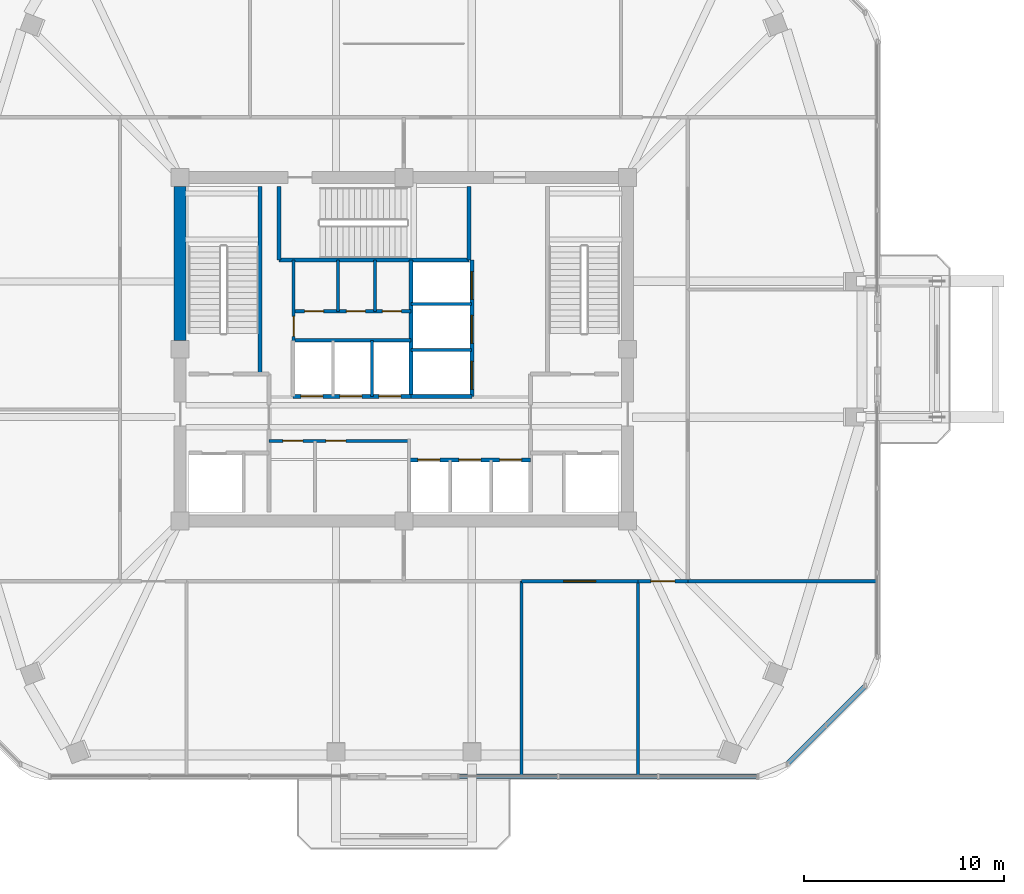
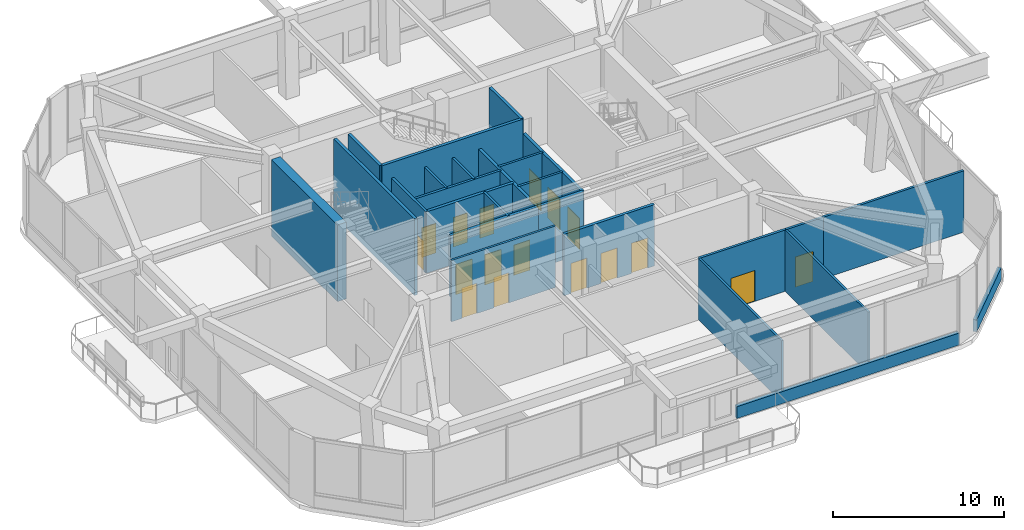
# One storey, part 9 of 14: 26 walls, 17 doors, 17 openings.
"""IFC4 building model written with IfcOpenShell, lengths in metres."""

import ifcopenshell
import ifcopenshell.guid

model = None  # the IFC model being written
_history = None  # IfcOwnerHistory: only IFC2X3 demands one
_inside = {}  # id of a spatial element -> (the spatial element, [elements in it])
_under = {}  # id of a project, library or spatial element -> (it, [spatial elements below it])
_declared = {}  # id of a project -> (the project, [libraries it declares])
_typed = {}  # id of a type object -> (the type object, [elements of that type])
_made_of = {}  # id of a material, layer set ... -> (it, [elements and type objects made of it])


def new_model(schema):
    """Start an empty IFC model of exactly this schema.

    Asked for "IFC4X3", IfcOpenShell would pick the latest addendum, in which some entities
    have other attributes; the version numbers below select the first issue.
    IFC2X3 requires an IfcOwnerHistory on every rooted entity: one is made here for all.
    """
    global model, _history
    if schema == "IFC4X3":
        model = ifcopenshell.file(schema_version=(4, 3, 0, 0))
    else:
        model = ifcopenshell.file(schema=schema)
    _inside.clear()
    _under.clear()
    _declared.clear()
    _typed.clear()
    _made_of.clear()
    _history = None
    if model.schema == "IFC2X3":
        org = make("IfcOrganization", Name="unknown")
        user = make(
            "IfcPersonAndOrganization",
            ThePerson=make("IfcPerson", FamilyName="unknown"),
            TheOrganization=org,
        )
        app = make(
            "IfcApplication",
            ApplicationDeveloper=org,
            Version="unknown",
            ApplicationFullName="unknown",
            ApplicationIdentifier="unknown",
        )
        _history = make(
            "IfcOwnerHistory",
            OwningUser=user,
            OwningApplication=app,
            ChangeAction="ADDED",
            CreationDate=0,
        )
    return model


def make(cls, **values):
    """One entity of the class cls with the attributes given. An attribute that is None is left unset."""
    return model.create_entity(
        cls, **{name: value for name, value in values.items() if value is not None}
    )


def rooted(cls, **values):
    """An entity with a GlobalId (a new one), such as an element, a storey or a relation."""
    return make(cls, GlobalId=ifcopenshell.guid.new(), OwnerHistory=_history, **values)


def si_unit(unit_type, name, prefix=None):
    """IfcSIUnit, for example si_unit("LENGTHUNIT", "METRE", prefix="MILLI")."""
    return make("IfcSIUnit", UnitType=unit_type, Prefix=prefix, Name=name)


def derived_unit(unit_type, elements):
    """IfcDerivedUnit: a product of units, each with its exponent."""
    return make(
        "IfcDerivedUnit",
        Elements=[
            make("IfcDerivedUnitElement", Unit=unit, Exponent=power)
            for unit, power in elements
        ],
        UnitType=unit_type,
    )


def assignment(units):
    """IfcUnitAssignment: the units of a project."""
    return None if units is None else make("IfcUnitAssignment", Units=units)


def point(xyz):
    """IfcCartesianPoint."""
    return None if xyz is None else make("IfcCartesianPoint", Coordinates=xyz)


def direction(xyz):
    """IfcDirection."""
    return None if xyz is None else make("IfcDirection", DirectionRatios=xyz)


def frame(location, z_axis=None, x_axis=None):
    """IfcAxis2Placement3D, a coordinate frame: its origin and axes. An axis left out is left unset."""
    return make(
        "IfcAxis2Placement3D",
        Location=point(location),
        Axis=direction(z_axis),
        RefDirection=direction(x_axis),
    )


def frame_2d(location, x_axis=None):
    """IfcAxis2Placement2D, a coordinate frame in the plane: its origin and x axis."""
    return make(
        "IfcAxis2Placement2D", Location=point(location), RefDirection=direction(x_axis)
    )


def origin():
    """The frame at (0, 0, 0) with its axes left unset."""
    return frame((0.0, 0.0, 0.0))


def place(relative_to, where):
    """IfcLocalPlacement: puts the frame where relative to a parent placement (None: the world)."""
    return make(
        "IfcLocalPlacement", PlacementRelTo=relative_to, RelativePlacement=where
    )


def context(
    kind, dimensions, precision=None, world=None, true_north=None, identifier=None
):
    """IfcGeometricRepresentationContext, for example the 3D "Model" context."""
    return make(
        "IfcGeometricRepresentationContext",
        ContextIdentifier=identifier,
        ContextType=kind,
        CoordinateSpaceDimension=dimensions,
        Precision=precision,
        WorldCoordinateSystem=world,
        TrueNorth=true_north,
    )


def subcontext(parent, identifier, kind, view, scale=None):
    """IfcGeometricRepresentationSubContext, for example "Body" below "Model"."""
    return make(
        "IfcGeometricRepresentationSubContext",
        ContextIdentifier=identifier,
        ContextType=kind,
        ParentContext=parent,
        TargetScale=scale,
        TargetView=view,
    )


def project(units=None, contexts=None):
    """IfcProject with its units and contexts."""
    return rooted(
        "IfcProject",
        Name="project",
        RepresentationContexts=contexts,
        UnitsInContext=assignment(units),
    )


def spatial(cls, under=None, at=None, **own):
    """A site, building, storey or space (cls), placed at a placement, below another one or the project."""
    s = rooted(cls, ObjectPlacement=at, **own)
    if under is not None:
        _under.setdefault(under.id(), (under, []))[1].append(s)
    return s


def profile(cls, at=None, kind="AREA", **sizes):
    """A parametric profile (cls). Its sizes go by their IFC names, for example OverallWidth=200.0."""
    return make(cls, ProfileType=kind, Position=at, **sizes)


def rectangle(**sizes):
    """IfcRectangleProfileDef."""
    return profile("IfcRectangleProfileDef", **sizes)


def extrude(swept, where, along, depth):
    """IfcExtrudedAreaSolid: the profile swept, set in the frame where, extruded along a direction by depth."""
    return make(
        "IfcExtrudedAreaSolid",
        SweptArea=swept,
        Position=where,
        ExtrudedDirection=direction(along),
        Depth=depth,
    )


def shape(context_of_items, identifier, shape_type, items):
    """IfcShapeRepresentation: the items that make up one representation, for example the "Body"."""
    return make(
        "IfcShapeRepresentation",
        ContextOfItems=context_of_items,
        RepresentationIdentifier=identifier,
        RepresentationType=shape_type,
        Items=items,
    )


def material(Name=None, Category=None):
    """IfcMaterial."""
    return make("IfcMaterial", Name=Name, Category=Category)


def layer(
    of_material, thickness, ventilated=None, Name=None, Category=None, Priority=None
):
    """IfcMaterialLayer: one layer of a wall or slab, of a material (None: an air gap)."""
    return make(
        "IfcMaterialLayer",
        Material=of_material,
        LayerThickness=thickness,
        IsVentilated=ventilated,
        Name=Name,
        Category=Category,
        Priority=Priority,
    )


def layer_set(layers, Name=None):
    """IfcMaterialLayerSet."""
    return make("IfcMaterialLayerSet", MaterialLayers=layers, LayerSetName=Name)


def made_of(thing, what):
    """Note that an element or type object is made of a material, layer set ...; save() writes the relation."""
    if what is not None:
        _made_of.setdefault(what.id(), (what, []))[1].append(thing)
    return thing


def type_object(cls, material=None, **own):
    """A type object (cls), such as IfcWallType, which elements share."""
    return made_of(rooted(cls, **own), material)


def element(
    cls,
    number,
    at=None,
    inside=None,
    cuts=None,
    type_object=None,
    material=None,
    context=None,
    identifier="Body",
    shape_type=None,
    held_by="IfcProductDefinitionShape",
    body=None,
    shapes=None,
    **own,
):
    """One element of the class cls, such as IfcWall. Its Tag is "e" and its number.

    at: its placement. inside: the storey or other place that contains it. cuts: it is an
    opening in that element (IfcRelVoidsElement). A single representation is given by context,
    identifier, shape_type and body (its items); several are given by shapes. held_by: the class
    of the entity that holds the representations. save() writes the other relations.
    """
    e = rooted(cls, Tag="e%d" % number, ObjectPlacement=at, **own)
    if body is not None:
        shapes = [shape(context, identifier, shape_type, body)]
    if shapes is not None:
        e.Representation = make(held_by, Representations=shapes)
    if inside is not None:
        _inside.setdefault(inside.id(), (inside, []))[1].append(e)
    if cuts is not None:
        rooted(
            "IfcRelVoidsElement", RelatingBuildingElement=cuts, RelatedOpeningElement=e
        )
    if type_object is not None:
        _typed.setdefault(type_object.id(), (type_object, []))[1].append(e)
    return made_of(e, material)


def fill(opening, filler):
    """IfcRelFillsElement: the door or window that sits in an opening."""
    return rooted(
        "IfcRelFillsElement",
        RelatingOpeningElement=opening,
        RelatedBuildingElement=filler,
    )


def aggregate(whole, parts):
    """IfcRelAggregates: a whole, such as a stair, and the parts it consists of."""
    return rooted("IfcRelAggregates", RelatingObject=whole, RelatedObjects=parts)


def save(model, path):
    """Write the relations noted so far, then the file.

    IfcRelAggregates (storeys below a building ...), IfcRelContainedInSpatialStructure (elements
    in a storey), IfcRelDefinesByType, IfcRelAssociatesMaterial and IfcRelDeclares: one each for
    every whole, place, type object, material and project.
    """
    for whole, parts in _under.values():
        aggregate(whole, parts)
    for where, things in _inside.values():
        rooted(
            "IfcRelContainedInSpatialStructure",
            RelatedElements=things,
            RelatingStructure=where,
        )
    for kind, things in _typed.values():
        rooted("IfcRelDefinesByType", RelatedObjects=things, RelatingType=kind)
    for what, things in _made_of.values():
        rooted("IfcRelAssociatesMaterial", RelatedObjects=things, RelatingMaterial=what)
    for by, libraries in _declared.values():
        rooted("IfcRelDeclares", RelatingContext=by, RelatedDefinitions=libraries)
    model.write(path)


model = new_model("IFC4")

# Units and contexts
model_context = context("Model", 3, precision=1e-05, world=origin(), true_north=direction((0.0, 1.0)))
body_context = subcontext(model_context, "Body", "Model", "MODEL_VIEW")
ifc_project = project(units=[si_unit("LENGTHUNIT", "METRE"), si_unit("AREAUNIT", "SQUARE_METRE"), si_unit("VOLUMEUNIT", "CUBIC_METRE"), si_unit("PLANEANGLEUNIT", "RADIAN"), si_unit("MASSUNIT", "GRAM", prefix="KILO"), derived_unit("THERMALTRANSMITTANCEUNIT", [(si_unit("POWERUNIT", "WATT"), 1), (si_unit("LENGTHUNIT", "METRE"), -2), (si_unit("THERMODYNAMICTEMPERATUREUNIT", "KELVIN"), -1)])], contexts=[model_context])

# Site, building, storey
site_placement = place(None, origin())
site = spatial("IfcSite", under=ifc_project, at=site_placement, CompositionType="ELEMENT")
building_placement = place(site_placement, origin())
building = spatial("IfcBuilding", under=site, at=building_placement, Name="Koralith Skygarden Medical Center", CompositionType="ELEMENT")
storey_placement = place(building_placement, frame((0.0, 0.0, 182.699951171875)))
storey = spatial("IfcBuildingStorey", under=building, at=storey_placement, Name="L47", CompositionType="ELEMENT", Elevation=182.699951171875)

# Wall, openings, doors
ifc_material_1 = material(Name="Gypsum Board Partition")
ifc_layer_1 = layer(ifc_material_1, 0.14990234375)
ifc_layer_set_1 = layer_set([ifc_layer_1], Name="Gypsum Board Partition")
wall_type_1 = type_object("IfcWallType", Name="Clinical Acoustic Partition 150", PredefinedType="PARTITIONING", material=ifc_layer_set_1)
wall_1_placement = place(storey_placement, frame((30.25, 21.320068359375, 0.0), z_axis=(0.0, 0.0, 1.0), x_axis=(1.0, 0.0, 0.0)))
wall_1 = element("IfcWall", 1, at=wall_1_placement, inside=storey, type_object=wall_type_1, Name="L47 Clinical Acoustic Partition 150 W-CORE-L47-FREED-LR-N", PredefinedType="PARTITIONING", context=body_context, shape_type="SweptSolid", body=[
    extrude(rectangle(XDim=7.0, YDim=0.14990234375, at=frame_2d((3.5, 0.0))), origin(), (0.0, 0.0, 1.0), 4.3701171875),
])
opening_1_placement = place(wall_1_placement, frame((0.699951171875, 0.0, 0.0)))
opening_1 = element("IfcOpeningElement", 2, at=opening_1_placement, cuts=wall_1, Name="Opening D-SUP", PredefinedType="OPENING", context=body_context, shape_type="SweptSolid", body=[
    extrude(rectangle(XDim=1.0, YDim=2.14990234375, at=frame_2d((0.5, 1.074951171875))), frame((0.0, 0.0849609375, 0.0), z_axis=(0.0, -1.0, 0.0), x_axis=(1.0, 0.0, 0.0)), (0.0, 0.0, 1.0), 0.169921875),
])
opening_2_placement = place(wall_1_placement, frame((2.85009765625, 0.0, 0.0)))
opening_2 = element("IfcOpeningElement", 3, at=opening_2_placement, cuts=wall_1, Name="Opening D-SUP", PredefinedType="OPENING", context=body_context, shape_type="SweptSolid", body=[
    extrude(rectangle(XDim=1.0, YDim=2.14990234375, at=frame_2d((0.5, 1.074951171875))), frame((0.0, 0.0849609375, 0.0), z_axis=(0.0, -1.0, 0.0), x_axis=(1.0, 0.0, 0.0)), (0.0, 0.0, 1.0), 0.169921875),
])
ifc_material_2 = material(Name="Aluminium 6063-T6", Category="aluminium")
door_type_1 = type_object("IfcDoorType", Name="Clinical Support Door D-SUP 1000", OperationType="NOTDEFINED", PredefinedType="DOOR", material=ifc_material_2)
door_1_placement = place(opening_1_placement, frame((1.0, 0.0, 0.0), z_axis=(0.0, 0.0, 1.0), x_axis=(-1.0, 0.0, 0.0)))
door_1 = element("IfcDoor", 4, at=door_1_placement, inside=storey, type_object=door_type_1, Name="L47 Medication Preparation Door", OperationType="SINGLE_SWING_LEFT", OverallHeight=2.14990234375, OverallWidth=1.0, PredefinedType="DOOR", context=body_context, shape_type="SweptSolid", body=[
    extrude(rectangle(XDim=1.0, YDim=2.14990234375, at=frame_2d((0.5, 1.074951171875))), frame((0.0, 0.02490234375, 0.0), z_axis=(0.0, -1.0, 0.0), x_axis=(1.0, 0.0, 0.0)), (0.0, 0.0, 1.0), 0.050048828125),
])
fill(opening_1, door_1)
door_2_placement = place(opening_2_placement, frame((1.0, 0.0, 0.0), z_axis=(0.0, 0.0, 1.0), x_axis=(-1.0, 0.0, 0.0)))
door_2 = element("IfcDoor", 5, at=door_2_placement, inside=storey, type_object=door_type_1, Name="L47 Telemetry Room Door", OperationType="SINGLE_SWING_RIGHT", OverallHeight=2.14990234375, OverallWidth=1.0, PredefinedType="DOOR", context=body_context, shape_type="SweptSolid", body=[
    extrude(rectangle(XDim=1.0, YDim=2.14990234375, at=frame_2d((0.5, 1.074951171875))), frame((0.0, 0.02490234375, 0.0), z_axis=(0.0, -1.0, 0.0), x_axis=(1.0, 0.0, 0.0)), (0.0, 0.0, 1.0), 0.050048828125),
])
fill(opening_2, door_2)

# Walls
for number, where, z_axis, x_axis, name in (
    (6, (33.699951171875, 27.800048828125, 0.0), (0.0, 0.0, 1.0), (0.0, 1.0, 0.0), "L47 Clinical Acoustic Partition 150 W-CORE-L47-FLEX-V2A"),
    (7, (35.56005859375, 27.800048828125, 0.0), (0.0, 0.0, 1.0), (0.0, 1.0, 0.0), "L47 Clinical Acoustic Partition 150 W-CORE-L47-FLEX-V2B"),
):
    element("IfcWall", number, at=place(storey_placement, frame(where, z_axis=z_axis, x_axis=x_axis)), inside=storey, type_object=wall_type_1, Name=name, PredefinedType="PARTITIONING", context=body_context, shape_type="SweptSolid", body=[
        extrude(rectangle(XDim=2.56005859375, YDim=0.14990234375, at=frame_2d((1.280029296875, 0.0))), origin(), (0.0, 0.0, 1.0), 4.3701171875),
    ])
for number, where, z_axis, x_axis, name in (
    (8, (42.89111328125, 14.2900390625, 0.0), (0.0, 0.0, 1.0), (0.0, -1.0, 0.0), "L47 Clinical Acoustic Partition 150 W-AMPART-L47-S-2"),
    (9, (48.7099609375, 14.2900390625, 0.0), (0.0, 0.0, 1.0), (0.0, -1.0, 0.0), "L47 Clinical Acoustic Partition 150 W-AMPART-L47-S-3"),
):
    element("IfcWall", number, at=place(storey_placement, frame(where, z_axis=z_axis, x_axis=x_axis)), inside=storey, type_object=wall_type_1, Name=name, PredefinedType="PARTITIONING", context=body_context, shape_type="SweptSolid", body=[
        extrude(rectangle(XDim=9.740966796875, YDim=0.14990234375, at=frame_2d((4.87060546875, 0.0))), origin(), (0.0, 0.0, 1.0), 4.3701171875),
    ])
ifc_layer_2 = layer(ifc_material_1, 0.1650390625)
ifc_layer_set_2 = layer_set([ifc_layer_2], Name="Gypsum Board Partition")
wall_type_2 = type_object("IfcWallType", Name="Clinical Corridor Partition 165", PredefinedType="PARTITIONING", material=ifc_layer_set_2)
wall_2_placement = place(storey_placement, frame((51.2099609375, 14.2900390625, 0.0), z_axis=(0.0, 0.0, 1.0), x_axis=(1.0, 0.0, 0.0)))
element("IfcWall", 10, at=wall_2_placement, inside=storey, type_object=wall_type_2, Name="L47 Clinical Corridor Partition 165 W-WB-L47-SE", PredefinedType="PARTITIONING", context=body_context, shape_type="SweptSolid", body=[
    extrude(rectangle(XDim=9.467041015625, YDim=0.1650390625, at=frame_2d((4.7333984375, 0.0))), origin(), (0.0, 0.0, 1.0), 4.3701171875),
])

# Wall, opening, door
wall_3_placement = place(storey_placement, frame((42.89111328125, 14.2900390625, 0.0), z_axis=(0.0, 0.0, 1.0), x_axis=(1.0, 0.0, 0.0)))
wall_3 = element("IfcWall", 11, at=wall_3_placement, inside=storey, type_object=wall_type_2, Name="L47 Clinical Corridor Partition 165 W-AMCOR-L47-S-3", PredefinedType="PARTITIONING", context=body_context, shape_type="SweptSolid", body=[
    extrude(rectangle(XDim=5.81884765625, YDim=0.1650390625, at=frame_2d((2.909423828125, 0.0))), origin(), (0.0, 0.0, 1.0), 4.3701171875),
])
opening_3_placement = place(wall_3_placement, frame((2.110107421875, 0.0, 0.0)))
opening_3 = element("IfcOpeningElement", 12, at=opening_3_placement, cuts=wall_3, Name="Opening D-DBL", PredefinedType="OPENING", context=body_context, shape_type="SweptSolid", body=[
    extrude(rectangle(XDim=1.60009765625, YDim=2.199951171875, at=frame_2d((0.800048828125, 1.10009765625))), frame((0.0, 0.092529296875, 0.0), z_axis=(0.0, -1.0, 0.0), x_axis=(1.0, 0.0, 0.0)), (0.0, 0.0, 1.0), 0.18505859375),
])
door_type_2 = type_object("IfcDoorType", Name="Double Clinical Suite Door D-DBL 1600", OperationType="NOTDEFINED", PredefinedType="DOOR", material=ifc_material_2)
door_3_placement = place(opening_3_placement, frame((1.60009765625, 0.0, 0.0), z_axis=(0.0, 0.0, 1.0), x_axis=(-1.0, 0.0, 0.0)))
door_3 = element("IfcDoor", 13, at=door_3_placement, inside=storey, type_object=door_type_2, Name="L47 Medical Ethics Seminar Room Door", OperationType="DOUBLE_DOOR_SINGLE_SWING", OverallHeight=2.199951171875, OverallWidth=1.60009765625, PredefinedType="DOOR", context=body_context, shape_type="SweptSolid", body=[
    extrude(rectangle(XDim=1.60009765625, YDim=2.199951171875, at=frame_2d((0.800048828125, 1.10009765625))), frame((0.0, 0.02490234375, 0.0), z_axis=(0.0, -1.0, 0.0), x_axis=(1.0, 0.0, 0.0)), (0.0, 0.0, 1.0), 0.050048828125),
])
fill(opening_3, door_3)

wall_4_placement = place(storey_placement, frame((48.7099609375, 14.2900390625, 0.0), z_axis=(0.0, 0.0, 1.0), x_axis=(1.0, 0.0, 0.0)))
wall_4 = element("IfcWall", 14, at=wall_4_placement, inside=storey, type_object=wall_type_2, Name="L47 Clinical Corridor Partition 165 W-AMCOR-L47-S-4", PredefinedType="PARTITIONING", context=body_context, shape_type="SweptSolid", body=[
    extrude(rectangle(XDim=2.5, YDim=0.1650390625, at=frame_2d((1.25, 0.0))), origin(), (0.0, 0.0, 1.0), 4.3701171875),
])
opening_4_placement = place(wall_4_placement, frame((0.64990234375, 0.0, 0.0)))
opening_4 = element("IfcOpeningElement", 15, at=opening_4_placement, cuts=wall_4, Name="Opening D-CLN", PredefinedType="OPENING", context=body_context, shape_type="SweptSolid", body=[
    extrude(rectangle(XDim=1.199951171875, YDim=2.14990234375, at=frame_2d((0.60009765625, 1.074951171875))), frame((0.0, 0.092529296875, 0.0), z_axis=(0.0, -1.0, 0.0), x_axis=(1.0, 0.0, 0.0)), (0.0, 0.0, 1.0), 0.18505859375),
])
door_type_3 = type_object("IfcDoorType", Name="Clinical Corridor Door D-CLN 1200", OperationType="NOTDEFINED", PredefinedType="DOOR", material=ifc_material_2)
door_4_placement = place(opening_4_placement, frame((1.199951171875, 0.0, 0.0), z_axis=(0.0, 0.0, 1.0), x_axis=(-1.0, 0.0, 0.0)))
door_4 = element("IfcDoor", 16, at=door_4_placement, inside=storey, type_object=door_type_3, Name="L47 Public Accessible Restroom WC Door", OperationType="SINGLE_SWING_LEFT", OverallHeight=2.14990234375, OverallWidth=1.199951171875, PredefinedType="DOOR", context=body_context, shape_type="SweptSolid", body=[
    extrude(rectangle(XDim=1.199951171875, YDim=2.14990234375, at=frame_2d((0.60009765625, 1.074951171875))), frame((0.0, 0.02490234375, 0.0), z_axis=(0.0, -1.0, 0.0), x_axis=(1.0, 0.0, 0.0)), (0.0, 0.0, 1.0), 0.050048828125),
])
fill(opening_4, door_4)

# Wall, openings, doors
ifc_layer_3 = layer(ifc_material_1, 0.199951171875)
ifc_layer_set_3 = layer_set([ifc_layer_3], Name="Gypsum Board Partition")
wall_type_3 = type_object("IfcWallType", Name="Fire Shaft Wall 200", PredefinedType="SOLIDWALL", material=ifc_layer_set_3)
wall_5_placement = place(storey_placement, frame((37.25, 20.360107421875, 0.0), z_axis=(0.0, 0.0, 1.0), x_axis=(1.0, 0.0, 0.0)))
wall_5 = element("IfcWall", 17, at=wall_5_placement, inside=storey, type_object=wall_type_3, Name="L47 Fire Shaft Wall 200 W-CORE-L47-PM-N", PredefinedType="SOLIDWALL", context=body_context, shape_type="SweptSolid", body=[
    extrude(rectangle(XDim=6.10009765625, YDim=0.199951171875, at=frame_2d((3.050048828125, 0.0))), origin(), (0.0, 0.0, 1.0), 4.3701171875),
])
opening_5_placement = place(wall_5_placement, frame((0.449951171875, 0.0, 0.0)))
opening_5 = element("IfcOpeningElement", 18, at=opening_5_placement, cuts=wall_5, Name="Opening LD-P", PredefinedType="OPENING", context=body_context, shape_type="SweptSolid", body=[
    extrude(rectangle(XDim=1.10009765625, YDim=2.14990234375, at=frame_2d((0.550048828125, 1.074951171875))), frame((0.0, 0.10986328125, 0.0), z_axis=(0.0, -1.0, 0.0), x_axis=(1.0, 0.0, 0.0)), (0.0, 0.0, 1.0), 0.219970703125),
])
opening_6_placement = place(wall_5_placement, frame((2.5, 0.0, 0.0)))
opening_6 = element("IfcOpeningElement", 19, at=opening_6_placement, cuts=wall_5, Name="Opening LD-P", PredefinedType="OPENING", context=body_context, shape_type="SweptSolid", body=[
    extrude(rectangle(XDim=1.10009765625, YDim=2.14990234375, at=frame_2d((0.550048828125, 1.074951171875))), frame((0.0, 0.10986328125, 0.0), z_axis=(0.0, -1.0, 0.0), x_axis=(1.0, 0.0, 0.0)), (0.0, 0.0, 1.0), 0.219970703125),
])
opening_7_placement = place(wall_5_placement, frame((4.550048828125, 0.0, 0.0)))
opening_7 = element("IfcOpeningElement", 20, at=opening_7_placement, cuts=wall_5, Name="Opening LD-P", PredefinedType="OPENING", context=body_context, shape_type="SweptSolid", body=[
    extrude(rectangle(XDim=1.10009765625, YDim=2.14990234375, at=frame_2d((0.550048828125, 1.074951171875))), frame((0.0, 0.10986328125, 0.0), z_axis=(0.0, -1.0, 0.0), x_axis=(1.0, 0.0, 0.0)), (0.0, 0.0, 1.0), 0.219970703125),
])
ifc_material_3 = material(Name="Steel ASTM A500 Grade C", Category="steel")
door_type_4 = type_object("IfcDoorType", Name="Passenger Lift Sliding Landing Door LD-P 1100", OperationType="NOTDEFINED", PredefinedType="DOOR", material=ifc_material_3)
door_5_placement = place(opening_5_placement, origin())
door_5 = element("IfcDoor", 21, at=door_5_placement, inside=storey, type_object=door_type_4, Name="L47 Passenger Elevator PM1 Landing Door", OperationType="SLIDING_TO_LEFT", OverallHeight=2.14990234375, OverallWidth=1.10009765625, PredefinedType="DOOR", context=body_context, shape_type="SweptSolid", body=[
    extrude(rectangle(XDim=1.10009765625, YDim=2.14990234375, at=frame_2d((0.550048828125, 1.074951171875))), frame((0.0, 0.02490234375, 0.0), z_axis=(0.0, -1.0, 0.0), x_axis=(1.0, 0.0, 0.0)), (0.0, 0.0, 1.0), 0.050048828125),
])
fill(opening_5, door_5)
door_6_placement = place(opening_6_placement, origin())
door_6 = element("IfcDoor", 22, at=door_6_placement, inside=storey, type_object=door_type_4, Name="L47 Passenger Elevator PM2 Landing Door", OperationType="SLIDING_TO_LEFT", OverallHeight=2.14990234375, OverallWidth=1.10009765625, PredefinedType="DOOR", context=body_context, shape_type="SweptSolid", body=[
    extrude(rectangle(XDim=1.10009765625, YDim=2.14990234375, at=frame_2d((0.550048828125, 1.074951171875))), frame((0.0, 0.02490234375, 0.0), z_axis=(0.0, -1.0, 0.0), x_axis=(1.0, 0.0, 0.0)), (0.0, 0.0, 1.0), 0.050048828125),
])
fill(opening_6, door_6)
door_7_placement = place(opening_7_placement, origin())
door_7 = element("IfcDoor", 23, at=door_7_placement, inside=storey, type_object=door_type_4, Name="L47 Passenger Elevator PM3 Landing Door", OperationType="SLIDING_TO_LEFT", OverallHeight=2.14990234375, OverallWidth=1.10009765625, PredefinedType="DOOR", context=body_context, shape_type="SweptSolid", body=[
    extrude(rectangle(XDim=1.10009765625, YDim=2.14990234375, at=frame_2d((0.550048828125, 1.074951171875))), frame((0.0, 0.02490234375, 0.0), z_axis=(0.0, -1.0, 0.0), x_axis=(1.0, 0.0, 0.0)), (0.0, 0.0, 1.0), 0.050048828125),
])
fill(opening_7, door_7)

wall_6_placement = place(storey_placement, frame((31.449951171875, 23.5400390625, 0.0), z_axis=(0.0, 0.0, 1.0), x_axis=(1.0, 0.0, 0.0)))
wall_6 = element("IfcWall", 24, at=wall_6_placement, inside=storey, type_object=wall_type_3, Name="L47 Fire Shaft Wall 200 W-CORE-L47-PH-S", PredefinedType="SOLIDWALL", context=body_context, shape_type="SweptSolid", body=[
    extrude(rectangle(XDim=5.900146484375, YDim=0.199951171875, at=frame_2d((2.9501953125, 0.0))), origin(), (0.0, 0.0, 1.0), 4.3701171875),
])
opening_8_placement = place(wall_6_placement, frame((0.39990234375, 0.0, 0.0)))
opening_8 = element("IfcOpeningElement", 25, at=opening_8_placement, cuts=wall_6, Name="Opening LD-P", PredefinedType="OPENING", context=body_context, shape_type="SweptSolid", body=[
    extrude(rectangle(XDim=1.10009765625, YDim=2.14990234375, at=frame_2d((0.550048828125, 1.074951171875))), frame((0.0, 0.10986328125, 0.0), z_axis=(0.0, -1.0, 0.0), x_axis=(1.0, 0.0, 0.0)), (0.0, 0.0, 1.0), 0.219970703125),
])
opening_9_placement = place(wall_6_placement, frame((2.35009765625, 0.0, 0.0)))
opening_9 = element("IfcOpeningElement", 26, at=opening_9_placement, cuts=wall_6, Name="Opening LD-P", PredefinedType="OPENING", context=body_context, shape_type="SweptSolid", body=[
    extrude(rectangle(XDim=1.10009765625, YDim=2.14990234375, at=frame_2d((0.550048828125, 1.074951171875))), frame((0.0, 0.10986328125, 0.0), z_axis=(0.0, -1.0, 0.0), x_axis=(1.0, 0.0, 0.0)), (0.0, 0.0, 1.0), 0.219970703125),
])
opening_10_placement = place(wall_6_placement, frame((4.300048828125, 0.0, 0.0)))
opening_10 = element("IfcOpeningElement", 27, at=opening_10_placement, cuts=wall_6, Name="Opening LD-P", PredefinedType="OPENING", context=body_context, shape_type="SweptSolid", body=[
    extrude(rectangle(XDim=1.10009765625, YDim=2.14990234375, at=frame_2d((0.550048828125, 1.074951171875))), frame((0.0, 0.10986328125, 0.0), z_axis=(0.0, -1.0, 0.0), x_axis=(1.0, 0.0, 0.0)), (0.0, 0.0, 1.0), 0.219970703125),
])
door_8_placement = place(opening_8_placement, origin())
door_8 = element("IfcDoor", 28, at=door_8_placement, inside=storey, type_object=door_type_4, Name="L47 Passenger Elevator PH1 Landing Door", OperationType="SLIDING_TO_RIGHT", OverallHeight=2.14990234375, OverallWidth=1.10009765625, PredefinedType="DOOR", context=body_context, shape_type="SweptSolid", body=[
    extrude(rectangle(XDim=1.10009765625, YDim=2.14990234375, at=frame_2d((0.550048828125, 1.074951171875))), frame((0.0, 0.02490234375, 0.0), z_axis=(0.0, -1.0, 0.0), x_axis=(1.0, 0.0, 0.0)), (0.0, 0.0, 1.0), 0.050048828125),
])
fill(opening_8, door_8)
door_9_placement = place(opening_9_placement, origin())
door_9 = element("IfcDoor", 29, at=door_9_placement, inside=storey, type_object=door_type_4, Name="L47 Passenger Elevator PH2 Landing Door", OperationType="SLIDING_TO_RIGHT", OverallHeight=2.14990234375, OverallWidth=1.10009765625, PredefinedType="DOOR", context=body_context, shape_type="SweptSolid", body=[
    extrude(rectangle(XDim=1.10009765625, YDim=2.14990234375, at=frame_2d((0.550048828125, 1.074951171875))), frame((0.0, 0.02490234375, 0.0), z_axis=(0.0, -1.0, 0.0), x_axis=(1.0, 0.0, 0.0)), (0.0, 0.0, 1.0), 0.050048828125),
])
fill(opening_9, door_9)
door_10_placement = place(opening_10_placement, origin())
door_10 = element("IfcDoor", 30, at=door_10_placement, inside=storey, type_object=door_type_4, Name="L47 Passenger Elevator PH3 Landing Door", OperationType="SLIDING_TO_RIGHT", OverallHeight=2.14990234375, OverallWidth=1.10009765625, PredefinedType="DOOR", context=body_context, shape_type="SweptSolid", body=[
    extrude(rectangle(XDim=1.10009765625, YDim=2.14990234375, at=frame_2d((0.550048828125, 1.074951171875))), frame((0.0, 0.02490234375, 0.0), z_axis=(0.0, -1.0, 0.0), x_axis=(1.0, 0.0, 0.0)), (0.0, 0.0, 1.0), 0.050048828125),
])
fill(opening_10, door_10)

# Walls
wall_7_placement = place(storey_placement, frame((31.449951171875, 26.35009765625, 0.0), z_axis=(0.0, 0.0, 1.0), x_axis=(1.0, 0.0, 0.0)))
element("IfcWall", 31, at=wall_7_placement, inside=storey, type_object=wall_type_3, Name="L47 Fire Shaft Wall 200 W-CORE-L47-PH-N", PredefinedType="SOLIDWALL", context=body_context, shape_type="SweptSolid", body=[
    extrude(rectangle(XDim=5.900146484375, YDim=0.199951171875, at=frame_2d((2.9501953125, 0.0))), origin(), (0.0, 0.0, 1.0), 4.3701171875),
])
wall_8_placement = place(storey_placement, frame((37.35009765625, 23.5400390625, 0.0), z_axis=(0.0, 0.0, 1.0), x_axis=(0.0, 1.0, 0.0)))
element("IfcWall", 32, at=wall_8_placement, inside=storey, type_object=wall_type_3, Name="L47 Fire Shaft Wall 200 W-CORE-L47-SV-W", PredefinedType="SOLIDWALL", context=body_context, shape_type="SweptSolid", body=[
    extrude(rectangle(XDim=6.820068359375, YDim=0.199951171875, at=frame_2d((3.41015625, 0.0))), origin(), (0.0, 0.0, 1.0), 4.3701171875),
])
wall_9_placement = place(storey_placement, frame((37.35009765625, 23.5400390625, 0.0), z_axis=(0.0, 0.0, 1.0), x_axis=(1.0, 0.0, 0.0)))
element("IfcWall", 33, at=wall_9_placement, inside=storey, type_object=wall_type_3, Name="L47 Fire Shaft Wall 200 W-CORE-L47-SV-S", PredefinedType="SOLIDWALL", context=body_context, shape_type="SweptSolid", body=[
    extrude(rectangle(XDim=3.0498046875, YDim=0.199951171875, at=frame_2d((1.52490234375, 0.0))), origin(), (0.0, 0.0, 1.0), 4.3701171875),
])

# Wall, openings, doors
wall_10_placement = place(storey_placement, frame((40.39990234375, 23.5400390625, 0.0), z_axis=(0.0, 0.0, 1.0), x_axis=(0.0, 1.0, 0.0)))
wall_10 = element("IfcWall", 34, at=wall_10_placement, inside=storey, type_object=wall_type_3, Name="L47 Fire Shaft Wall 200 W-CORE-L47-SV-E", PredefinedType="SOLIDWALL", context=body_context, shape_type="SweptSolid", body=[
    extrude(rectangle(XDim=6.820068359375, YDim=0.199951171875, at=frame_2d((3.41015625, 0.0))), origin(), (0.0, 0.0, 1.0), 4.3701171875),
])
opening_11_placement = place(wall_10_placement, frame((0.35009765625, 0.0, 0.0)))
opening_11 = element("IfcOpeningElement", 35, at=opening_11_placement, cuts=wall_10, Name="Opening LD-SV", PredefinedType="OPENING", context=body_context, shape_type="SweptSolid", body=[
    extrude(rectangle(XDim=1.39990234375, YDim=2.199951171875, at=frame_2d((0.699951171875, 1.10009765625))), frame((0.0, 0.10986328125, 0.0), z_axis=(0.0, -1.0, 0.0), x_axis=(1.0, 0.0, 0.0)), (0.0, 0.0, 1.0), 0.219970703125),
])
opening_12_placement = place(wall_10_placement, frame((2.64990234375, 0.0, 0.0)))
opening_12 = element("IfcOpeningElement", 36, at=opening_12_placement, cuts=wall_10, Name="Opening LD-SV", PredefinedType="OPENING", context=body_context, shape_type="SweptSolid", body=[
    extrude(rectangle(XDim=1.39990234375, YDim=2.199951171875, at=frame_2d((0.699951171875, 1.10009765625))), frame((0.0, 0.10986328125, 0.0), z_axis=(0.0, -1.0, 0.0), x_axis=(1.0, 0.0, 0.0)), (0.0, 0.0, 1.0), 0.219970703125),
])
opening_13_placement = place(wall_10_placement, frame((4.85009765625, 0.0, 0.0)))
opening_13 = element("IfcOpeningElement", 37, at=opening_13_placement, cuts=wall_10, Name="Opening LD-SV", PredefinedType="OPENING", context=body_context, shape_type="SweptSolid", body=[
    extrude(rectangle(XDim=1.39990234375, YDim=2.199951171875, at=frame_2d((0.699951171875, 1.10009765625))), frame((0.0, 0.10986328125, 0.0), z_axis=(0.0, -1.0, 0.0), x_axis=(1.0, 0.0, 0.0)), (0.0, 0.0, 1.0), 0.219970703125),
])
door_type_5 = type_object("IfcDoorType", Name="Bed Lift Sliding Landing Door LD-SV 1400", OperationType="NOTDEFINED", PredefinedType="DOOR", material=ifc_material_3)
door_11_placement = place(opening_11_placement, origin())
door_11 = element("IfcDoor", 38, at=door_11_placement, inside=storey, type_object=door_type_5, Name="L47 Bed Elevator BD1 Landing Door", OperationType="SLIDING_TO_LEFT", OverallHeight=2.199951171875, OverallWidth=1.39990234375, PredefinedType="DOOR", context=body_context, shape_type="SweptSolid", body=[
    extrude(rectangle(XDim=1.39990234375, YDim=2.199951171875, at=frame_2d((0.699951171875, 1.10009765625))), frame((0.0, 0.02490234375, 0.0), z_axis=(0.0, -1.0, 0.0), x_axis=(1.0, 0.0, 0.0)), (0.0, 0.0, 1.0), 0.050048828125),
])
fill(opening_11, door_11)
door_12_placement = place(opening_12_placement, origin())
door_12 = element("IfcDoor", 39, at=door_12_placement, inside=storey, type_object=door_type_5, Name="L47 Service Elevator BD2 Landing Door", OperationType="SLIDING_TO_LEFT", OverallHeight=2.199951171875, OverallWidth=1.39990234375, PredefinedType="DOOR", context=body_context, shape_type="SweptSolid", body=[
    extrude(rectangle(XDim=1.39990234375, YDim=2.199951171875, at=frame_2d((0.699951171875, 1.10009765625))), frame((0.0, 0.02490234375, 0.0), z_axis=(0.0, -1.0, 0.0), x_axis=(1.0, 0.0, 0.0)), (0.0, 0.0, 1.0), 0.050048828125),
])
fill(opening_12, door_12)
door_13_placement = place(opening_13_placement, origin())
door_13 = element("IfcDoor", 40, at=door_13_placement, inside=storey, type_object=door_type_5, Name="L47 Trauma Elevator TR1 Landing Door", OperationType="SLIDING_TO_RIGHT", OverallHeight=2.199951171875, OverallWidth=1.39990234375, PredefinedType="DOOR", context=body_context, shape_type="SweptSolid", body=[
    extrude(rectangle(XDim=1.39990234375, YDim=2.199951171875, at=frame_2d((0.699951171875, 1.10009765625))), frame((0.0, 0.02490234375, 0.0), z_axis=(0.0, -1.0, 0.0), x_axis=(1.0, 0.0, 0.0)), (0.0, 0.0, 1.0), 0.050048828125),
])
fill(opening_13, door_13)

# Walls
ifc_material_4 = material(Name="Warm Oolitic Limestone Cladding", Category="masonry")
ifc_layer_4 = layer(ifc_material_4, 0.239990234375)
ifc_layer_set_4 = layer_set([ifc_layer_4], Name="Warm Oolitic Limestone Cladding")
wall_type_4 = type_object("IfcWallType", Name="Limestone Spandrel Sill Backup Wall 240", PredefinedType="SOLIDWALL", material=ifc_layer_set_4)
wall_11_placement = place(storey_placement, frame((39.739013671875, 4.529052734375, 0.0), z_axis=(0.0, 0.0, 1.0), x_axis=(1.0, 0.0, 0.0)))
element("IfcWall", 41, at=wall_11_placement, inside=storey, type_object=wall_type_4, Name="L47 Sill Spandrel S-R", PredefinedType="SOLIDWALL", context=body_context, shape_type="SweptSolid", body=[
    extrude(rectangle(XDim=14.98291015625, YDim=0.239990234375, at=frame_2d((7.491455078125, 0.0))), origin(), (0.0, 0.0, 1.0), 0.85009765625),
])
wall_12_placement = place(storey_placement, frame((56.173095703125, 5.131103515625, 0.0), z_axis=(0.0, 0.0, 1.0), x_axis=(0.707106781187, 0.707106781187, 0.0)))
element("IfcWall", 42, at=wall_12_placement, inside=storey, type_object=wall_type_4, Name="L47 Sill Spandrel SE", PredefinedType="SOLIDWALL", context=body_context, shape_type="SweptSolid", body=[
    extrude(rectangle(XDim=5.5478515625, YDim=0.239990234375, at=frame_2d((2.77392578125, 0.0))), origin(), (0.0, 0.0, 1.0), 0.85009765625),
])

# Wall, opening, door
ifc_layer_5 = layer(ifc_material_1, 0.1650390625)
ifc_layer_set_5 = layer_set([ifc_layer_5], Name="Gypsum Board Partition")
wall_type_5 = type_object("IfcWallType", Name="Plumbing Wet Wall 165", PredefinedType="PLUMBINGWALL", material=ifc_layer_set_5)
wall_13_placement = place(storey_placement, frame((31.47998046875, 26.320068359375, 0.0), z_axis=(0.0, 0.0, 1.0), x_axis=(0.0, 1.0, 0.0)))
wall_13 = element("IfcWall", 43, at=wall_13_placement, inside=storey, type_object=wall_type_5, Name="L47 Plumbing Wet Wall 165 W-CORE-L47-FLEX-W", PredefinedType="PLUMBINGWALL", context=body_context, shape_type="SweptSolid", body=[
    extrude(rectangle(XDim=4.0400390625, YDim=0.1650390625, at=frame_2d((2.02001953125, 0.0))), origin(), (0.0, 0.0, 1.0), 4.3701171875),
])
opening_14_placement = place(wall_13_placement, frame((0.219970703125, 0.0, 0.0)))
opening_14 = element("IfcOpeningElement", 44, at=opening_14_placement, cuts=wall_13, Name="Opening D-SUP", PredefinedType="OPENING", context=body_context, shape_type="SweptSolid", body=[
    extrude(rectangle(XDim=1.0, YDim=2.14990234375, at=frame_2d((0.5, 1.074951171875))), frame((0.0, 0.092529296875, 0.0), z_axis=(0.0, -1.0, 0.0), x_axis=(1.0, 0.0, 0.0)), (0.0, 0.0, 1.0), 0.18505859375),
])
door_14_placement = place(opening_14_placement, frame((1.0, 0.0, 0.0), z_axis=(0.0, 0.0, 1.0), x_axis=(-1.0, 0.0, 0.0)))
door_14 = element("IfcDoor", 45, at=door_14_placement, inside=storey, type_object=door_type_1, Name="L47 Core Service Alcove Door", OperationType="SINGLE_SWING_LEFT", OverallHeight=2.14990234375, OverallWidth=1.0, PredefinedType="DOOR", context=body_context, shape_type="SweptSolid", body=[
    extrude(rectangle(XDim=1.0, YDim=2.14990234375, at=frame_2d((0.5, 1.074951171875))), frame((0.0, 0.02490234375, 0.0), z_axis=(0.0, -1.0, 0.0), x_axis=(1.0, 0.0, 0.0)), (0.0, 0.0, 1.0), 0.050048828125),
])
fill(opening_14, door_14)

# Wall, openings, doors
wall_14_placement = place(storey_placement, frame((31.47998046875, 27.800048828125, 0.0), z_axis=(0.0, 0.0, 1.0), x_axis=(1.0, 0.0, 0.0)))
wall_14 = element("IfcWall", 46, at=wall_14_placement, inside=storey, type_object=wall_type_5, Name="L47 Plumbing Wet Wall 165 W-CORE-L47-FLEX-H2", PredefinedType="PLUMBINGWALL", context=body_context, shape_type="SweptSolid", body=[
    extrude(rectangle(XDim=5.8701171875, YDim=0.1650390625, at=frame_2d((2.93505859375, 0.0))), origin(), (0.0, 0.0, 1.0), 4.3701171875),
])
opening_15_placement = place(wall_14_placement, frame((0.550048828125, 0.0, 0.0)))
opening_15 = element("IfcOpeningElement", 47, at=opening_15_placement, cuts=wall_14, Name="Opening D-WC", PredefinedType="OPENING", context=body_context, shape_type="SweptSolid", body=[
    extrude(rectangle(XDim=0.949951171875, YDim=2.10009765625, at=frame_2d((0.47509765625, 1.050048828125))), frame((0.0, 0.092529296875, 0.0), z_axis=(0.0, -1.0, 0.0), x_axis=(1.0, 0.0, 0.0)), (0.0, 0.0, 1.0), 0.18505859375),
])
opening_16_placement = place(wall_14_placement, frame((2.64990234375, 0.0, 0.0)))
opening_16 = element("IfcOpeningElement", 48, at=opening_16_placement, cuts=wall_14, Name="Opening D-WC", PredefinedType="OPENING", context=body_context, shape_type="SweptSolid", body=[
    extrude(rectangle(XDim=0.949951171875, YDim=2.10009765625, at=frame_2d((0.47509765625, 1.050048828125))), frame((0.0, 0.092529296875, 0.0), z_axis=(0.0, -1.0, 0.0), x_axis=(1.0, 0.0, 0.0)), (0.0, 0.0, 1.0), 0.18505859375),
])
opening_17_placement = place(wall_14_placement, frame((4.449951171875, 0.0, 0.0)))
opening_17 = element("IfcOpeningElement", 49, at=opening_17_placement, cuts=wall_14, Name="Opening D-WC", PredefinedType="OPENING", context=body_context, shape_type="SweptSolid", body=[
    extrude(rectangle(XDim=0.949951171875, YDim=2.10009765625, at=frame_2d((0.47509765625, 1.050048828125))), frame((0.0, 0.092529296875, 0.0), z_axis=(0.0, -1.0, 0.0), x_axis=(1.0, 0.0, 0.0)), (0.0, 0.0, 1.0), 0.18505859375),
])
door_type_6 = type_object("IfcDoorType", Name="Accessible Toilet Door D-WC 950", OperationType="NOTDEFINED", PredefinedType="DOOR", material=ifc_material_2)
door_15_placement = place(opening_15_placement, origin())
door_15 = element("IfcDoor", 50, at=door_15_placement, inside=storey, type_object=door_type_6, Name="L47 Core Accessible WC Door", OperationType="SINGLE_SWING_LEFT", OverallHeight=2.10009765625, OverallWidth=0.949951171875, PredefinedType="DOOR", context=body_context, shape_type="SweptSolid", body=[
    extrude(rectangle(XDim=0.949951171875, YDim=2.10009765625, at=frame_2d((0.47509765625, 1.050048828125))), frame((0.0, 0.02490234375, 0.0), z_axis=(0.0, -1.0, 0.0), x_axis=(1.0, 0.0, 0.0)), (0.0, 0.0, 1.0), 0.050048828125),
])
fill(opening_15, door_15)
door_16_placement = place(opening_16_placement, origin())
door_16 = element("IfcDoor", 51, at=door_16_placement, inside=storey, type_object=door_type_6, Name="L47 Soiled Sluice Door", OperationType="SINGLE_SWING_LEFT", OverallHeight=2.10009765625, OverallWidth=0.949951171875, PredefinedType="DOOR", context=body_context, shape_type="SweptSolid", body=[
    extrude(rectangle(XDim=0.949951171875, YDim=2.10009765625, at=frame_2d((0.47509765625, 1.050048828125))), frame((0.0, 0.02490234375, 0.0), z_axis=(0.0, -1.0, 0.0), x_axis=(1.0, 0.0, 0.0)), (0.0, 0.0, 1.0), 0.050048828125),
])
fill(opening_16, door_16)
door_17_placement = place(opening_17_placement, origin())
door_17 = element("IfcDoor", 52, at=door_17_placement, inside=storey, type_object=door_type_6, Name="L47 Clean Linen Store Door", OperationType="SINGLE_SWING_RIGHT", OverallHeight=2.10009765625, OverallWidth=0.949951171875, PredefinedType="DOOR", context=body_context, shape_type="SweptSolid", body=[
    extrude(rectangle(XDim=0.949951171875, YDim=2.10009765625, at=frame_2d((0.47509765625, 1.050048828125))), frame((0.0, 0.02490234375, 0.0), z_axis=(0.0, -1.0, 0.0), x_axis=(1.0, 0.0, 0.0)), (0.0, 0.0, 1.0), 0.050048828125),
])
fill(opening_17, door_17)

# Walls
ifc_layer_6 = layer(ifc_material_1, 0.14990234375)
ifc_layer_set_6 = layer_set([ifc_layer_6], Name="Gypsum Board Partition")
wall_type_6 = type_object("IfcWallType", Name="Shaft Partition Wall 150", PredefinedType="PARTITIONING", material=ifc_layer_set_6)
wall_15_placement = place(storey_placement, frame((35.39990234375, 23.5400390625, 0.0), z_axis=(0.0, 0.0, 1.0), x_axis=(0.0, 1.0, 0.0)))
element("IfcWall", 53, at=wall_15_placement, inside=storey, type_object=wall_type_6, Name="L47 Shaft Partition Wall 150 W-CORE-L47-PH-D2", PredefinedType="PARTITIONING", context=body_context, shape_type="SweptSolid", body=[
    extrude(rectangle(XDim=2.81005859375, YDim=0.14990234375, at=frame_2d((1.405029296875, 0.0))), origin(), (0.0, 0.0, 1.0), 4.3701171875),
])
for number, where, z_axis, x_axis, name in (
    (54, (37.3701171875, 25.8701171875, 0.0), (0.0, 0.0, 1.0), (1.0, 0.0, 0.0), "L47 Shaft Partition Wall 150 W-CORE-L47-SV-D1"),
    (55, (37.3701171875, 28.169921875, 0.0), (0.0, 0.0, 1.0), (1.0, 0.0, 0.0), "L47 Shaft Partition Wall 150 W-CORE-L47-SV-D2"),
):
    element("IfcWall", number, at=place(storey_placement, frame(where, z_axis=z_axis, x_axis=x_axis)), inside=storey, type_object=wall_type_6, Name=name, PredefinedType="PARTITIONING", context=body_context, shape_type="SweptSolid", body=[
        extrude(rectangle(XDim=3.009765625, YDim=0.14990234375, at=frame_2d((1.5048828125, 0.0))), origin(), (0.0, 0.0, 1.0), 4.3701171875),
    ])
ifc_material_5 = material(Name="Concrete C45/55", Category="concrete")
ifc_layer_7 = layer(ifc_material_5, 0.199951171875)
ifc_layer_set_7 = layer_set([ifc_layer_7], Name="Concrete C45/55")
wall_type_7 = type_object("IfcWallType", Name="Structural Stair Shaft Wall 200", PredefinedType="SHEAR", material=ifc_layer_set_7)
wall_16_placement = place(storey_placement, frame((29.800048828125, 24.64990234375, 0.0), z_axis=(0.0, 0.0, 1.0), x_axis=(0.0, 1.0, 0.0)))
element("IfcWall", 56, at=wall_16_placement, inside=storey, type_object=wall_type_7, Name="L47 Structural Stair Shaft Wall 200 W-CORE-L47-ST1-E", PredefinedType="SHEAR", context=body_context, shape_type="SweptSolid", body=[
    extrude(rectangle(XDim=9.400146484375, YDim=0.199951171875, at=frame_2d((4.7001953125, 0.0))), origin(), (0.0, 0.0, 1.0), 5.4599609375),
])
wall_17_placement = place(storey_placement, frame((30.75, 30.360107421875, 0.0), z_axis=(0.0, 0.0, 1.0), x_axis=(1.0, 0.0, 0.0)))
element("IfcWall", 57, at=wall_17_placement, inside=storey, type_object=wall_type_7, Name="L47 Structural Stair Shaft Wall 200 W-CORE-L47-ST3-S", PredefinedType="SHEAR", context=body_context, shape_type="SweptSolid", body=[
    extrude(rectangle(XDim=9.5, YDim=0.199951171875, at=frame_2d((4.75, 0.0))), origin(), (0.0, 0.0, 1.0), 5.4599609375),
])
for number, where, z_axis, x_axis, name in (
    (58, (30.75, 30.360107421875, 0.0), (0.0, 0.0, 1.0), (0.0, 1.0, 0.0), "L47 Structural Stair Shaft Wall 200 W-CORE-L47-ST3-W"),
    (59, (40.25, 30.360107421875, 0.0), (0.0, 0.0, 1.0), (0.0, 1.0, 0.0), "L47 Structural Stair Shaft Wall 200 W-CORE-L47-ST3-E"),
):
    element("IfcWall", number, at=place(storey_placement, frame(where, z_axis=z_axis, x_axis=x_axis)), inside=storey, type_object=wall_type_7, Name=name, PredefinedType="SHEAR", context=body_context, shape_type="SweptSolid", body=[
        extrude(rectangle(XDim=3.68994140625, YDim=0.199951171875, at=frame_2d((1.844970703125, 0.0))), origin(), (0.0, 0.0, 1.0), 5.4599609375),
    ])
ifc_material_6 = material(Name="Concrete C55/67", Category="concrete")
ifc_layer_8 = layer(ifc_material_6, 0.60009765625)
ifc_layer_set_8 = layer_set([ifc_layer_8], Name="Concrete C55/67")
wall_type_8 = type_object("IfcWallType", Name="Upper Core Shear Wall 600", PredefinedType="SHEAR", material=ifc_layer_set_8)
wall_18_placement = place(storey_placement, frame((25.800048828125, 34.054931640625, 0.0), z_axis=(0.0, 0.0, 1.0), x_axis=(0.0, -1.0, 0.0)))
element("IfcWall", 60, at=wall_18_placement, inside=storey, type_object=wall_type_8, Name="L47 Core Shear Wall Segment 7", PredefinedType="SHEAR", context=body_context, shape_type="SweptSolid", body=[
    extrude(rectangle(XDim=7.7099609375, YDim=0.60009765625, at=frame_2d((3.85498046875, 0.0))), origin(), (0.0, 0.0, 1.0), 5.4599609375),
])

save(model, "model.ifc")
